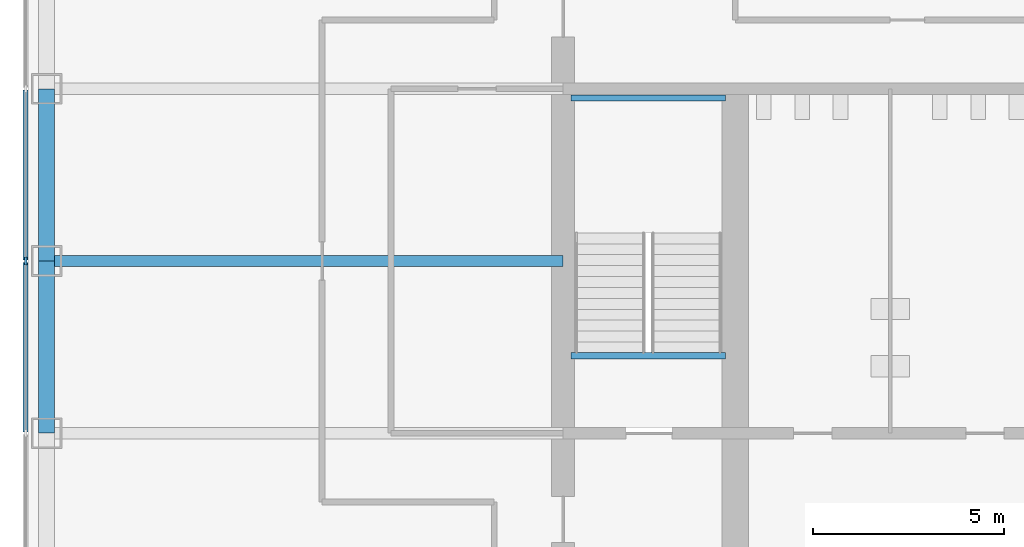
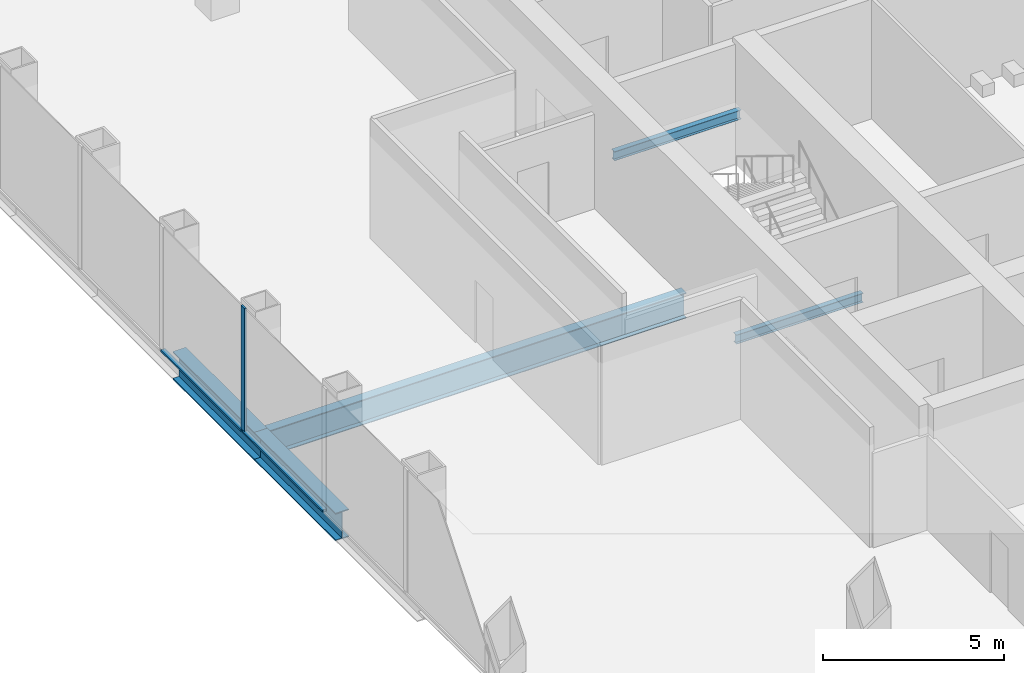
# One storey, part 3 of 13: 5 beams, 3 members, 1 element without a shape of its own.
"""IFC4 building model written with IfcOpenShell, lengths in metres."""

from ifc_helpers import new_model, si_unit, direction, frame, origin, origin_2d, place, context, subcontext, project, spatial, rectangle, i_section, extrude, material, material_profile, profile_set, type_object, element, aggregate, save


model = new_model("IFC4")

# Units and contexts
model_context = context("Model", 3, precision=1e-05, world=origin(), true_north=direction((0.0, 1.0)))
body_context = subcontext(model_context, "Body", "Model", "MODEL_VIEW")
ifc_project = project(units=[si_unit("LENGTHUNIT", "METRE"), si_unit("AREAUNIT", "SQUARE_METRE"), si_unit("VOLUMEUNIT", "CUBIC_METRE"), si_unit("PLANEANGLEUNIT", "RADIAN"), si_unit("MASSUNIT", "GRAM", prefix="KILO")], contexts=[model_context])

# Site, building, storey
site_placement = place(None, origin())
site = spatial("IfcSite", under=ifc_project, at=site_placement, CompositionType="ELEMENT")
building_placement = place(site_placement, origin())
building = spatial("IfcBuilding", under=site, at=building_placement, Name="Corais Broadcast Tower", CompositionType="ELEMENT")
storey_placement = place(building_placement, frame((0.0, 0.0, 83.60009765625)))
storey = spatial("IfcBuildingStorey", under=building, at=storey_placement, Name="L18", CompositionType="ELEMENT", Elevation=83.60009765625)

# Beams
ifc_material_1 = material(Name="Steel ASTM A572 Grade 50", Category="steel")
ifc_material_profile_1 = material_profile(ifc_material_1, i_section(OverallWidth=0.2939453125, OverallDepth=0.85107421875, WebThickness=0.01611328125, FlangeThickness=0.02685546875, at=origin_2d()), Name="W840x226")
ifc_profile_set_1 = profile_set([ifc_material_profile_1], Name="Steel ASTM A572 Grade 50")
beam_type_1 = type_object("IfcBeamType", Name="Floor beam W840x226", PredefinedType="BEAM", material=ifc_profile_set_1)
beam_placement = place(storey_placement, frame((0.0, 27.0, -0.585693359375), z_axis=(1.0, 0.0, 0.0), x_axis=(0.0, 1.0, 0.0)))
element("IfcBeam", 1, at=beam_placement, inside=storey, type_object=beam_type_1, Name="B1 G/3 to G/6", PredefinedType="BEAM", context=body_context, shape_type="SweptSolid", body=[
    extrude(i_section(OverallWidth=0.2939453125, OverallDepth=0.85107421875, WebThickness=0.01611328125, FlangeThickness=0.02685546875, at=origin_2d()), origin(), (0.0, 0.0, 1.0), 13.5),
])
ifc_material_2 = material(Name="Steel ASTM A572 Grade 50", Category="steel")
ifc_material_profile_2 = material_profile(ifc_material_2, i_section(OverallWidth=0.1650390625, OverallDepth=0.31005859375, WebThickness=0.005859375, FlangeThickness=0.009765625, at=origin_2d()), Name="W310x38.7")
ifc_profile_set_2 = profile_set([ifc_material_profile_2], Name="Steel ASTM A572 Grade 50")
beam_type_2 = type_object("IfcBeamType", Name="Landing trimmer W310x38.7", PredefinedType="BEAM", material=ifc_profile_set_2)
for number, where, z_axis, x_axis, name in (
    (2, (13.699951171875, 24.52490234375, -0.35498046875), (1.0, 0.0, 0.0), (0.0, 1.0, 0.0), "LT1 stair A landing trimmer L18"),
    (3, (13.699951171875, 31.260009765625, 1.744873046875), (1.0, 0.0, 0.0), (0.0, 1.0, 0.0), "LT1 stair A half landing trimmer L18"),
):
    element("IfcBeam", number, at=place(storey_placement, frame(where, z_axis=z_axis, x_axis=x_axis)), inside=storey, type_object=beam_type_2, Name=name, PredefinedType="BEAM", context=body_context, shape_type="SweptSolid", body=[
        extrude(i_section(OverallWidth=0.1650390625, OverallDepth=0.31005859375, WebThickness=0.005859375, FlangeThickness=0.009765625, at=origin_2d()), origin(), (0.0, 0.0, 1.0), 4.050048828125),
    ])

# Curtain wall, member
ifc_material_3 = material(Name="Aluminium and glass", Category="aluminium")
curtain_wall_type = type_object("IfcCurtainWallType", Name="Unitised fritted curtain wall CW1", PredefinedType="NOTDEFINED", material=ifc_material_3)
curtain_wall_placement = place(storey_placement, origin())
curtain_wall = element("IfcCurtainWall", 4, at=curtain_wall_placement, inside=storey, type_object=curtain_wall_type, Name="CW1 curtain wall L18 2", PredefinedType="NOTDEFINED")
ifc_material_4 = material(Name="Aluminium 6063-T6", Category="aluminium")
ifc_material_profile_3 = material_profile(ifc_material_4, rectangle(XDim=0.06494140625, YDim=0.199951171875, at=origin_2d()), Name="Mullion CW1 65x200")
ifc_profile_set_3 = profile_set([ifc_material_profile_3], Name="Aluminium 6063-T6")
member_type_1 = type_object("IfcMemberType", Name="Mullion CW1 65x200", PredefinedType="MULLION", material=ifc_profile_set_3)
member_1_placement = place(storey_placement, frame((-0.550048828125, 27.0, 0.0), z_axis=(0.0, 0.0, 1.0), x_axis=(-1.0, 0.0, 0.0)))
member_1 = element("IfcMember", 5, at=member_1_placement, type_object=member_type_1, Name="CW1 mullion 6", PredefinedType="MULLION", context=body_context, shape_type="SweptSolid", body=[
    extrude(rectangle(XDim=0.06494140625, YDim=0.199951171875, at=origin_2d()), origin(), (0.0, 0.0, 1.0), 4.199951171875),
])

# Beams
ifc_material_5 = material(Name="Steel ASTM A572 Grade 50", Category="steel")
ifc_material_profile_4 = material_profile(ifc_material_5, i_section(OverallWidth=0.4189453125, OverallDepth=0.94189453125, WebThickness=0.022216796875, FlangeThickness=0.03662109375, at=origin_2d()), Name="W920x345")
ifc_profile_set_4 = profile_set([ifc_material_profile_4], Name="Steel ASTM A572 Grade 50")
beam_type_3 = type_object("IfcBeamType", Name="Transfer spandrel W920x345", PredefinedType="BEAM", material=ifc_profile_set_4)
for number, where, z_axis, x_axis, name in (
    (6, (0.0, 27.0, -0.631103515625), (0.0, -1.0, 0.0), (1.0, 0.0, 0.0), "SB4 G/3 to F/3"),
    (7, (0.0, 31.5, -0.631103515625), (0.0, -1.0, 0.0), (1.0, 0.0, 0.0), "SB4 H/3 to G/3"),
):
    element("IfcBeam", number, at=place(storey_placement, frame(where, z_axis=z_axis, x_axis=x_axis)), inside=storey, type_object=beam_type_3, Name=name, PredefinedType="BEAM", context=body_context, shape_type="SweptSolid", body=[
        extrude(i_section(OverallWidth=0.4189453125, OverallDepth=0.94189453125, WebThickness=0.022216796875, FlangeThickness=0.03662109375, at=origin_2d()), origin(), (0.0, 0.0, 1.0), 4.5),
    ])

# Member
ifc_material_6 = material(Name="Aluminium 6063-T6", Category="aluminium")
ifc_material_profile_5 = material_profile(ifc_material_6, rectangle(XDim=0.139892578125, YDim=0.06494140625, at=origin_2d()), Name="Transom CW1 65x140")
ifc_profile_set_5 = profile_set([ifc_material_profile_5], Name="Aluminium 6063-T6")
member_type_2 = type_object("IfcMemberType", Name="Transom CW1 65x140", PredefinedType="USERDEFINED", material=ifc_profile_set_5)
member_2_placement = place(storey_placement, frame((-0.550048828125, 22.532470703125, 0.032470703125), z_axis=(0.0, 1.0, 0.0), x_axis=(-1.0, 0.0, 0.0)))
member_2 = element("IfcMember", 8, at=member_2_placement, type_object=member_type_2, Name="CW1 transom 5.1", ObjectType="TRANSOM", PredefinedType="USERDEFINED", context=body_context, shape_type="SweptSolid", body=[
    extrude(rectangle(XDim=0.139892578125, YDim=0.06494140625, at=origin_2d()), origin(), (0.0, 0.0, 1.0), 4.43505859375),
])

member_3_placement = place(storey_placement, frame((-0.550048828125, 27.032470703125, 0.032470703125), z_axis=(0.0, 1.0, 0.0), x_axis=(-1.0, 0.0, 0.0)))
member_3 = element("IfcMember", 9, at=member_3_placement, type_object=member_type_2, Name="CW1 transom 6.1", ObjectType="TRANSOM", PredefinedType="USERDEFINED", context=body_context, shape_type="SweptSolid", body=[
    extrude(rectangle(XDim=0.139892578125, YDim=0.06494140625, at=origin_2d()), origin(), (0.0, 0.0, 1.0), 4.43505859375),
])

aggregate(curtain_wall, [member_1, member_2, member_3])

save(model, "model.ifc")
